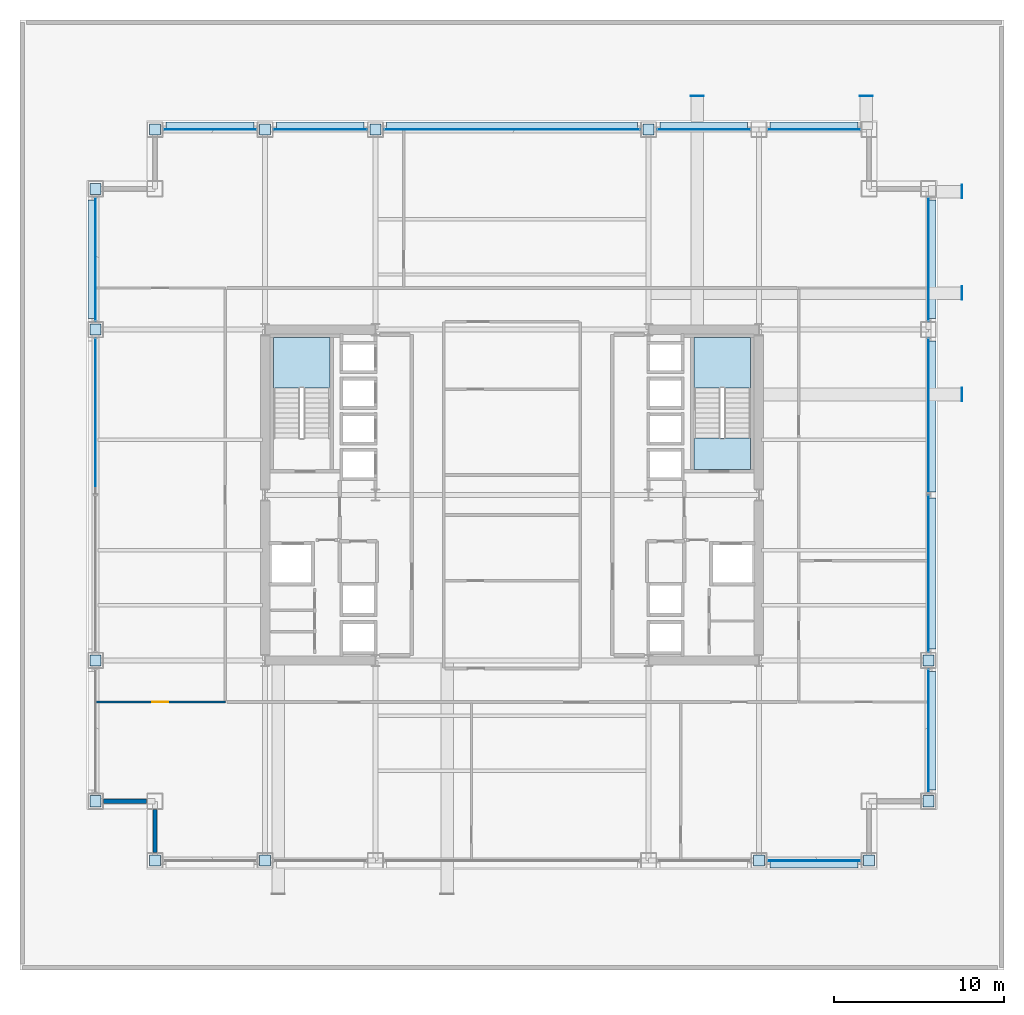
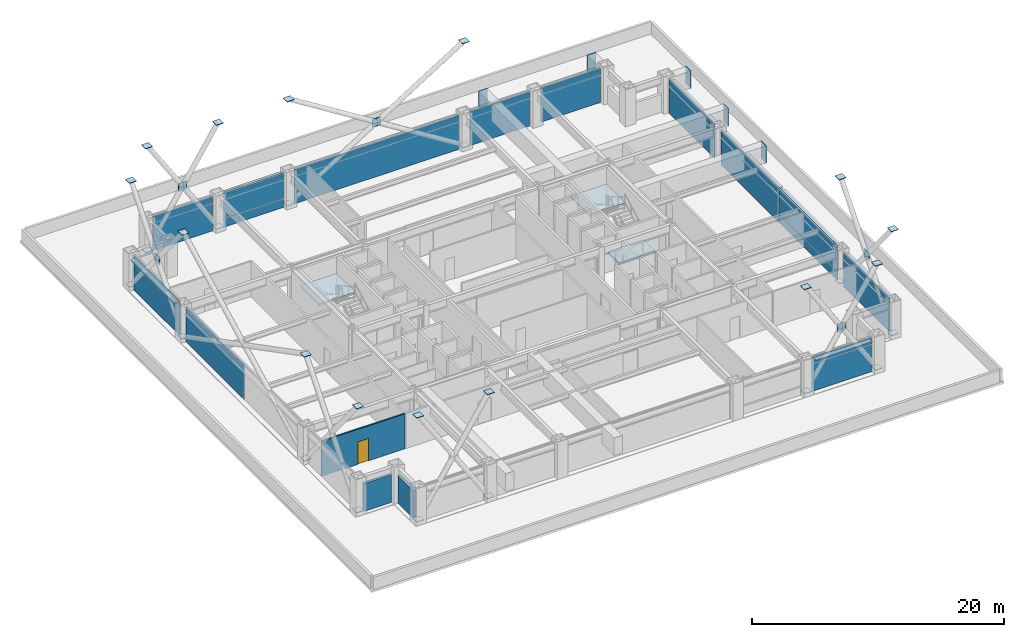
# One storey, part 28 of 33: 63 plates, 3 slabs, 3 walls, 1 door, 1 opening, 14 elements without a shape of their own.
"""IFC4 building model written with IfcOpenShell, lengths in metres."""

from ifc_helpers import new_model, si_unit, direction, frame, frame_2d, origin, origin_2d, place, context, subcontext, project, spatial, polyline, rectangle, outline, extrude, material, layer, layer_set, type_object, element, fill, aggregate, save


model = new_model("IFC4")

# Units and contexts
model_context = context("Model", 3, precision=1e-05, world=origin(), true_north=direction((0.0, 1.0)))
body_context = subcontext(model_context, "Body", "Model", "MODEL_VIEW")
ifc_project = project(units=[si_unit("LENGTHUNIT", "METRE"), si_unit("AREAUNIT", "SQUARE_METRE"), si_unit("VOLUMEUNIT", "CUBIC_METRE"), si_unit("PLANEANGLEUNIT", "RADIAN"), si_unit("MASSUNIT", "GRAM", prefix="KILO")], contexts=[model_context])

# Site, building, storey
site_placement = place(None, origin())
site = spatial("IfcSite", under=ifc_project, at=site_placement, CompositionType="ELEMENT")
building_placement = place(site_placement, origin())
building = spatial("IfcBuilding", under=site, at=building_placement, Name="Brelmoor Portico Tower", CompositionType="ELEMENT")
storey_placement = place(building_placement, frame((0.0, 0.0, 24.0)))
storey = spatial("IfcBuildingStorey", under=building, at=storey_placement, Name="L05", CompositionType="ELEMENT", Elevation=24.0)

# Plates
ifc_material_1 = material(Name="Steel Q355B", Category="steel")
ifc_layer_1 = layer(ifc_material_1, 0.044921875)
ifc_layer_set_1 = layer_set([ifc_layer_1], Name="Steel Q355B")
plate_type_1 = type_object("IfcPlateType", Name="PT-CAP-650", PredefinedType="SHEET", material=ifc_layer_set_1)
for number, where, z_axis, x_axis, name in (
    (1, (10.919921875, 23.52001953125, 1.72021484375), (0.0, 0.0, 1.0), (1.0, 0.0, 0.0), "L05 Picture-Frame Cantilever End Cap Plate PFB-03"),
    (2, (20.8798828125, 23.52001953125, 1.72021484375), (0.0, 0.0, 1.0), (1.0, 0.0, 0.0), "L05 Picture-Frame Cantilever End Cap Plate PFB-04"),
):
    element("IfcPlate", number, at=place(storey_placement, frame(where, z_axis=z_axis, x_axis=x_axis)), inside=storey, type_object=plate_type_1, Name=name, PredefinedType="SHEET", context=body_context, shape_type="SweptSolid", body=[
        extrude(rectangle(XDim=0.7900390625, YDim=0.0400390625, at=origin_2d()), origin(), (0.0, 0.0, 1.0), 1.699951171875),
    ])
for number, where, z_axis, x_axis, name in (
    (3, (26.52001953125, 5.919921875, 1.72021484375), (0.0, 0.0, 1.0), (1.0, 0.0, 0.0), "L05 Picture-Frame Cantilever End Cap Plate PFB-05"),
    (4, (26.52001953125, 17.8798828125, 1.72021484375), (0.0, 0.0, 1.0), (1.0, 0.0, 0.0), "L05 Picture-Frame Cantilever End Cap Plate PFB-06"),
    (5, (26.52001953125, 11.89990234375, 1.72021484375), (0.0, 0.0, 1.0), (1.0, 0.0, 0.0), "L05 Picture-Frame Cantilever End Cap Plate PFB-07"),
):
    element("IfcPlate", number, at=place(storey_placement, frame(where, z_axis=z_axis, x_axis=x_axis)), inside=storey, type_object=plate_type_1, Name=name, PredefinedType="SHEET", context=body_context, shape_type="SweptSolid", body=[
        extrude(rectangle(XDim=0.0400390625, YDim=0.7900390625, at=origin_2d()), origin(), (0.0, 0.0, 1.0), 1.699951171875),
    ])
for number, where, z_axis, x_axis, name in (
    (6, (-21.050048828125, -21.550048828125, 0.2275390625), (0.0, 0.0, 1.0), (1.0, 0.0, 0.0), "L05 Continuous Mega-X Brace 001A Joint Cap Plate 1"),
    (7, (-14.550048828125, -21.550048828125, 10.32763671875), (0.0, 0.0, 1.0), (1.0, 0.0, 0.0), "L05 Continuous Mega-X Brace 001A Joint Cap Plate 2"),
    (8, (-14.550048828125, -21.550048828125, 0.2275390625), (0.0, 0.0, 1.0), (1.0, 0.0, 0.0), "L05 Split Mega-X Brace 001B1 Joint Cap Plate 1"),
    (9, (-21.050048828125, -21.550048828125, 10.32763671875), (0.0, 0.0, 1.0), (1.0, 0.0, 0.0), "L05 Split Mega-X Brace 001B2 Joint Cap Plate 2"),
    (10, (14.550048828125, -21.550048828125, 0.2275390625), (0.0, 0.0, 1.0), (1.0, 0.0, 0.0), "L05 Continuous Mega-X Brace 002A Joint Cap Plate 1"),
    (11, (21.050048828125, -21.550048828125, 10.32763671875), (0.0, 0.0, 1.0), (1.0, 0.0, 0.0), "L05 Continuous Mega-X Brace 002A Joint Cap Plate 2"),
    (12, (21.050048828125, -21.550048828125, 0.2275390625), (0.0, 0.0, 1.0), (1.0, 0.0, 0.0), "L05 Split Mega-X Brace 002B1 Joint Cap Plate 1"),
    (13, (14.550048828125, -21.550048828125, 10.32763671875), (0.0, 0.0, 1.0), (1.0, 0.0, 0.0), "L05 Split Mega-X Brace 002B2 Joint Cap Plate 2"),
    (14, (-21.050048828125, 21.550048828125, 0.2275390625), (0.0, 0.0, 1.0), (1.0, 0.0, 0.0), "L05 Continuous Mega-X Brace 003A Joint Cap Plate 1"),
    (15, (-14.550048828125, 21.550048828125, 10.32763671875), (0.0, 0.0, 1.0), (1.0, 0.0, 0.0), "L05 Continuous Mega-X Brace 003A Joint Cap Plate 2"),
    (16, (-14.550048828125, 21.550048828125, 0.2275390625), (0.0, 0.0, 1.0), (1.0, 0.0, 0.0), "L05 Split Mega-X Brace 003B1 Joint Cap Plate 1"),
    (17, (-21.050048828125, 21.550048828125, 10.32763671875), (0.0, 0.0, 1.0), (1.0, 0.0, 0.0), "L05 Split Mega-X Brace 003B2 Joint Cap Plate 2"),
    (18, (-8.050048828125, 21.550048828125, 0.2275390625), (0.0, 0.0, 1.0), (1.0, 0.0, 0.0), "L05 Continuous Mega-X Brace 004A Joint Cap Plate 1"),
    (19, (8.050048828125, 21.550048828125, 10.32763671875), (0.0, 0.0, 1.0), (1.0, 0.0, 0.0), "L05 Continuous Mega-X Brace 004A Joint Cap Plate 2"),
    (20, (8.050048828125, 21.550048828125, 0.2275390625), (0.0, 0.0, 1.0), (1.0, 0.0, 0.0), "L05 Split Mega-X Brace 004B1 Joint Cap Plate 1"),
    (21, (-8.050048828125, 21.550048828125, 10.32763671875), (0.0, 0.0, 1.0), (1.0, 0.0, 0.0), "L05 Split Mega-X Brace 004B2 Joint Cap Plate 2"),
    (22, (-24.550048828125, -18.050048828125, 0.2275390625), (0.0, 0.0, 1.0), (1.0, 0.0, 0.0), "L05 Continuous Mega-X Brace 005A Joint Cap Plate 1"),
    (23, (-24.550048828125, -9.75, 10.32763671875), (0.0, 0.0, 1.0), (1.0, 0.0, 0.0), "L05 Continuous Mega-X Brace 005A Joint Cap Plate 2"),
    (24, (-24.550048828125, -9.75, 0.2275390625), (0.0, 0.0, 1.0), (1.0, 0.0, 0.0), "L05 Split Mega-X Brace 005B1 Joint Cap Plate 1"),
    (25, (-24.550048828125, -18.050048828125, 10.32763671875), (0.0, 0.0, 1.0), (1.0, 0.0, 0.0), "L05 Split Mega-X Brace 005B2 Joint Cap Plate 2"),
    (26, (-24.550048828125, 9.75, 10.32763671875), (0.0, 0.0, 1.0), (1.0, 0.0, 0.0), "L05 Continuous Mega-X Brace 006A Joint Cap Plate 2"),
    (27, (-24.550048828125, 9.75, 0.2275390625), (0.0, 0.0, 1.0), (1.0, 0.0, 0.0), "L05 Split Mega-X Brace 006B1 Joint Cap Plate 1"),
    (28, (-24.550048828125, 18.050048828125, 10.32763671875), (0.0, 0.0, 1.0), (1.0, 0.0, 0.0), "L05 Continuous Mega-X Brace 007A Joint Cap Plate 2"),
    (29, (-24.550048828125, 18.050048828125, 0.2275390625), (0.0, 0.0, 1.0), (1.0, 0.0, 0.0), "L05 Split Mega-X Brace 007B1 Joint Cap Plate 1"),
    (30, (24.550048828125, -18.050048828125, 0.2275390625), (0.0, 0.0, 1.0), (1.0, 0.0, 0.0), "L05 Continuous Mega-X Brace 008A Joint Cap Plate 1"),
    (31, (24.550048828125, -9.75, 10.32763671875), (0.0, 0.0, 1.0), (1.0, 0.0, 0.0), "L05 Continuous Mega-X Brace 008A Joint Cap Plate 2"),
    (32, (24.550048828125, -9.75, 0.2275390625), (0.0, 0.0, 1.0), (1.0, 0.0, 0.0), "L05 Split Mega-X Brace 008B1 Joint Cap Plate 1"),
    (33, (24.550048828125, -18.050048828125, 10.32763671875), (0.0, 0.0, 1.0), (1.0, 0.0, 0.0), "L05 Split Mega-X Brace 008B2 Joint Cap Plate 2"),
):
    element("IfcPlate", number, at=place(storey_placement, frame(where, z_axis=z_axis, x_axis=x_axis)), inside=storey, type_object=plate_type_1, Name=name, PredefinedType="SHEET", context=body_context, shape_type="SweptSolid", body=[
        extrude(rectangle(XDim=0.64990234375, YDim=0.64990234375, at=origin_2d()), origin(), (0.0, 0.0, 1.0), 0.044921875),
    ])

# Curtain wall, plate
ifc_material_2 = material(Name="Anodised Aluminium Alloy 6063-T6", Category="aluminium")
ifc_layer_2 = layer(ifc_material_2, 0.179931640625)
ifc_layer_set_2 = layer_set([ifc_layer_2], Name="Anodised Aluminium Alloy 6063-T6")
curtain_wall_type_1 = type_object("IfcCurtainWallType", Name="CW-TOWER-Z1", PredefinedType="NOTDEFINED", material=ifc_layer_set_2)
curtain_wall_1_placement = place(storey_placement, origin())
curtain_wall_1 = element("IfcCurtainWall", 34, at=curtain_wall_1_placement, inside=storey, type_object=curtain_wall_type_1, Name="L05 Curtain Wall CW-L05-02-2", PredefinedType="NOTDEFINED")
ifc_material_3 = material(Name="Double-Silver Low-E Insulated Glazing", Category="glass")
ifc_layer_3 = layer(ifc_material_3, 0.035888671875)
ifc_layer_set_3 = layer_set([ifc_layer_3], Name="Double-Silver Low-E Insulated Glazing")
plate_type_2 = type_object("IfcPlateType", Name="PT-CW-GLASS", PredefinedType="CURTAIN_PANEL", material=ifc_layer_set_3)
plate_1_placement = place(storey_placement, frame((-11.300048828125, 21.550048828125, 0.85009765625), z_axis=(0.0, 0.0, 1.0), x_axis=(1.0, 0.0, 0.0)))
plate_1 = element("IfcPlate", 35, at=plate_1_placement, type_object=plate_type_2, Name="CW-L05-02-2 Vision Glass Panel 00", PredefinedType="CURTAIN_PANEL", context=body_context, shape_type="SweptSolid", body=[
    extrude(rectangle(XDim=5.5, YDim=0.035888671875, at=origin_2d()), origin(), (0.0, 0.0, 1.0), 2.550048828125),
])

curtain_wall_2_placement = place(storey_placement, origin())
curtain_wall_2 = element("IfcCurtainWall", 36, at=curtain_wall_2_placement, inside=storey, type_object=curtain_wall_type_1, Name="L05 Curtain Wall CW-L05-04-2a", PredefinedType="NOTDEFINED")
plate_2_placement = place(storey_placement, frame((24.550048828125, -4.632568359375, 0.85009765625), z_axis=(0.0, 0.0, 1.0), x_axis=(0.0, 1.0, 0.0)))
plate_2 = element("IfcPlate", 37, at=plate_2_placement, type_object=plate_type_2, Name="CW-L05-04-2a Vision Glass Panel 00", PredefinedType="CURTAIN_PANEL", context=body_context, shape_type="SweptSolid", body=[
    extrude(rectangle(XDim=9.235107421875, YDim=0.035888671875, at=origin_2d()), origin(), (0.0, 0.0, 1.0), 2.550048828125),
])

ifc_layer_4 = layer(ifc_material_2, 0.179931640625)
ifc_layer_set_4 = layer_set([ifc_layer_4], Name="Anodised Aluminium Alloy 6063-T6")
curtain_wall_type_2 = type_object("IfcCurtainWallType", Name="CW-TOWER-Z1-XB", PredefinedType="NOTDEFINED", material=ifc_layer_set_4)
curtain_wall_3_placement = place(storey_placement, origin())
curtain_wall_3 = element("IfcCurtainWall", 38, at=curtain_wall_3_placement, inside=storey, type_object=curtain_wall_type_2, Name="L05 Curtain Wall CW-L05-01-5", PredefinedType="NOTDEFINED")
ifc_material_4 = material(Name="Pale Champagne Anodised Aluminium Panel", Category="aluminium")
ifc_layer_5 = layer(ifc_material_4, 0.050048828125)
ifc_layer_set_5 = layer_set([ifc_layer_5], Name="Pale Champagne Anodised Aluminium Panel")
plate_type_3 = type_object("IfcPlateType", Name="PT-CW-SPANDREL", PredefinedType="SHEET", material=ifc_layer_set_5)
plate_3_placement = place(storey_placement, frame((17.800048828125, -21.550048828125, 0.0), z_axis=(0.0, 0.0, 1.0), x_axis=(1.0, 0.0, 0.0)))
plate_3 = element("IfcPlate", 39, at=plate_3_placement, type_object=plate_type_3, Name="CW-L05-01-5 Spandrel Panel 00", PredefinedType="SHEET", context=body_context, shape_type="SweptSolid", body=[
    extrude(rectangle(XDim=5.5, YDim=0.050048828125, at=origin_2d()), origin(), (0.0, 0.0, 1.0), 3.330078125),
])
aggregate(curtain_wall_3, [plate_3])

curtain_wall_4_placement = place(storey_placement, origin())
curtain_wall_4 = element("IfcCurtainWall", 40, at=curtain_wall_4_placement, inside=storey, type_object=curtain_wall_type_2, Name="L05 Curtain Wall CW-L05-02-1", PredefinedType="NOTDEFINED")
plate_4_placement = place(storey_placement, frame((-17.800048828125, 21.550048828125, 0.0), z_axis=(0.0, 0.0, 1.0), x_axis=(1.0, 0.0, 0.0)))
plate_4 = element("IfcPlate", 41, at=plate_4_placement, type_object=plate_type_3, Name="CW-L05-02-1 Spandrel Panel 00", PredefinedType="SHEET", context=body_context, shape_type="SweptSolid", body=[
    extrude(rectangle(XDim=5.5, YDim=0.050048828125, at=origin_2d()), origin(), (0.0, 0.0, 1.0), 3.330078125),
])
aggregate(curtain_wall_4, [plate_4])

# Plate
plate_5_placement = place(storey_placement, frame((-11.300048828125, 21.550048828125, 0.0), z_axis=(0.0, 0.0, 1.0), x_axis=(1.0, 0.0, 0.0)))
plate_5 = element("IfcPlate", 42, at=plate_5_placement, type_object=plate_type_3, Name="CW-L05-02-2 Spandrel Panel 00", PredefinedType="SHEET", context=body_context, shape_type="SweptSolid", body=[
    extrude(rectangle(XDim=5.5, YDim=0.050048828125, at=origin_2d()), origin(), (0.0, 0.0, 1.0), 0.85009765625),
])

aggregate(curtain_wall_1, [plate_5, plate_1])

# Curtain wall, plate
curtain_wall_5_placement = place(storey_placement, origin())
curtain_wall_5 = element("IfcCurtainWall", 43, at=curtain_wall_5_placement, inside=storey, type_object=curtain_wall_type_2, Name="L05 Curtain Wall CW-L05-02-3", PredefinedType="NOTDEFINED")
plate_6_placement = place(storey_placement, frame((0.0, 21.550048828125, 0.0), z_axis=(0.0, 0.0, 1.0), x_axis=(1.0, 0.0, 0.0)))
plate_6 = element("IfcPlate", 44, at=plate_6_placement, type_object=plate_type_3, Name="CW-L05-02-3 Spandrel Panel 00", PredefinedType="SHEET", context=body_context, shape_type="SweptSolid", body=[
    extrude(rectangle(XDim=15.10009765625, YDim=0.050048828125, at=origin_2d()), origin(), (0.0, 0.0, 1.0), 3.330078125),
])
aggregate(curtain_wall_5, [plate_6])

curtain_wall_6_placement = place(storey_placement, origin())
curtain_wall_6 = element("IfcCurtainWall", 45, at=curtain_wall_6_placement, inside=storey, type_object=curtain_wall_type_2, Name="L05 Curtain Wall CW-L05-02-4", PredefinedType="NOTDEFINED")
plate_7_placement = place(storey_placement, frame((11.300048828125, 21.550048828125, 0.0), z_axis=(0.0, 0.0, 1.0), x_axis=(1.0, 0.0, 0.0)))
plate_7 = element("IfcPlate", 46, at=plate_7_placement, type_object=plate_type_3, Name="CW-L05-02-4 Spandrel Panel 00", PredefinedType="SHEET", context=body_context, shape_type="SweptSolid", body=[
    extrude(rectangle(XDim=5.5, YDim=0.050048828125, at=origin_2d()), origin(), (0.0, 0.0, 1.0), 3.330078125),
])
aggregate(curtain_wall_6, [plate_7])

curtain_wall_7_placement = place(storey_placement, origin())
curtain_wall_7 = element("IfcCurtainWall", 47, at=curtain_wall_7_placement, inside=storey, type_object=curtain_wall_type_2, Name="L05 Curtain Wall CW-L05-02-5", PredefinedType="NOTDEFINED")
plate_8_placement = place(storey_placement, frame((17.800048828125, 21.550048828125, 0.0), z_axis=(0.0, 0.0, 1.0), x_axis=(1.0, 0.0, 0.0)))
plate_8 = element("IfcPlate", 48, at=plate_8_placement, type_object=plate_type_3, Name="CW-L05-02-5 Spandrel Panel 00", PredefinedType="SHEET", context=body_context, shape_type="SweptSolid", body=[
    extrude(rectangle(XDim=5.5, YDim=0.050048828125, at=origin_2d()), origin(), (0.0, 0.0, 1.0), 3.330078125),
])
aggregate(curtain_wall_7, [plate_8])

curtain_wall_8_placement = place(storey_placement, origin())
curtain_wall_8 = element("IfcCurtainWall", 49, at=curtain_wall_8_placement, inside=storey, type_object=curtain_wall_type_2, Name="L05 Curtain Wall CW-L05-03-2", PredefinedType="NOTDEFINED")
plate_9_placement = place(storey_placement, frame((-24.550048828125, 4.632568359375, 0.0), z_axis=(0.0, 0.0, 1.0), x_axis=(0.0, 1.0, 0.0)))
plate_9 = element("IfcPlate", 50, at=plate_9_placement, type_object=plate_type_3, Name="CW-L05-03-2 Spandrel Panel 01", PredefinedType="SHEET", context=body_context, shape_type="SweptSolid", body=[
    extrude(rectangle(XDim=9.235107421875, YDim=0.050048828125, at=origin_2d()), origin(), (0.0, 0.0, 1.0), 3.330078125),
])
aggregate(curtain_wall_8, [plate_9])

curtain_wall_9_placement = place(storey_placement, origin())
curtain_wall_9 = element("IfcCurtainWall", 51, at=curtain_wall_9_placement, inside=storey, type_object=curtain_wall_type_2, Name="L05 Curtain Wall CW-L05-03-3", PredefinedType="NOTDEFINED")
plate_10_placement = place(storey_placement, frame((-24.550048828125, 13.89990234375, 0.0), z_axis=(0.0, 0.0, 1.0), x_axis=(0.0, 1.0, 0.0)))
plate_10 = element("IfcPlate", 52, at=plate_10_placement, type_object=plate_type_3, Name="CW-L05-03-3 Spandrel Panel 00", PredefinedType="SHEET", context=body_context, shape_type="SweptSolid", body=[
    extrude(rectangle(XDim=7.300048828125, YDim=0.050048828125, at=origin_2d()), origin(), (0.0, 0.0, 1.0), 3.330078125),
])
aggregate(curtain_wall_9, [plate_10])

curtain_wall_10_placement = place(storey_placement, origin())
curtain_wall_10 = element("IfcCurtainWall", 53, at=curtain_wall_10_placement, inside=storey, type_object=curtain_wall_type_2, Name="L05 Curtain Wall CW-L05-04-1", PredefinedType="NOTDEFINED")
plate_11_placement = place(storey_placement, frame((24.550048828125, -13.89990234375, 0.0), z_axis=(0.0, 0.0, 1.0), x_axis=(0.0, 1.0, 0.0)))
plate_11 = element("IfcPlate", 54, at=plate_11_placement, type_object=plate_type_3, Name="CW-L05-04-1 Spandrel Panel 00", PredefinedType="SHEET", context=body_context, shape_type="SweptSolid", body=[
    extrude(rectangle(XDim=7.300048828125, YDim=0.050048828125, at=origin_2d()), origin(), (0.0, 0.0, 1.0), 3.330078125),
])
aggregate(curtain_wall_10, [plate_11])

# Plate
plate_12_placement = place(storey_placement, frame((24.550048828125, -4.632568359375, 0.0), z_axis=(0.0, 0.0, 1.0), x_axis=(0.0, 1.0, 0.0)))
plate_12 = element("IfcPlate", 55, at=plate_12_placement, type_object=plate_type_3, Name="CW-L05-04-2a Spandrel Panel 00", PredefinedType="SHEET", context=body_context, shape_type="SweptSolid", body=[
    extrude(rectangle(XDim=9.235107421875, YDim=0.050048828125, at=origin_2d()), origin(), (0.0, 0.0, 1.0), 0.85009765625),
])

aggregate(curtain_wall_2, [plate_12, plate_2])

# Curtain wall, plate
curtain_wall_11_placement = place(storey_placement, origin())
curtain_wall_11 = element("IfcCurtainWall", 56, at=curtain_wall_11_placement, inside=storey, type_object=curtain_wall_type_2, Name="L05 Curtain Wall CW-L05-04-2b", PredefinedType="NOTDEFINED")
plate_13_placement = place(storey_placement, frame((24.550048828125, 4.632568359375, 0.0), z_axis=(0.0, 0.0, 1.0), x_axis=(0.0, 1.0, 0.0)))
plate_13 = element("IfcPlate", 57, at=plate_13_placement, type_object=plate_type_3, Name="CW-L05-04-2b Spandrel Panel 00", PredefinedType="SHEET", context=body_context, shape_type="SweptSolid", body=[
    extrude(rectangle(XDim=9.235107421875, YDim=0.050048828125, at=origin_2d()), origin(), (0.0, 0.0, 1.0), 3.330078125),
])
aggregate(curtain_wall_11, [plate_13])

curtain_wall_12_placement = place(storey_placement, origin())
curtain_wall_12 = element("IfcCurtainWall", 58, at=curtain_wall_12_placement, inside=storey, type_object=curtain_wall_type_2, Name="L05 Curtain Wall CW-L05-04-3", PredefinedType="NOTDEFINED")
plate_14_placement = place(storey_placement, frame((24.550048828125, 13.89990234375, 0.0), z_axis=(0.0, 0.0, 1.0), x_axis=(0.0, 1.0, 0.0)))
plate_14 = element("IfcPlate", 59, at=plate_14_placement, type_object=plate_type_3, Name="CW-L05-04-3 Spandrel Panel 00", PredefinedType="SHEET", context=body_context, shape_type="SweptSolid", body=[
    extrude(rectangle(XDim=7.300048828125, YDim=0.050048828125, at=origin_2d()), origin(), (0.0, 0.0, 1.0), 3.330078125),
])
aggregate(curtain_wall_12, [plate_14])

# Plates
ifc_layer_6 = layer(ifc_material_1, 0.050048828125)
ifc_layer_set_6 = layer_set([ifc_layer_6], Name="Steel Q355B")
plate_type_4 = type_object("IfcPlateType", Name="PT-GUSSET-800", PredefinedType="USERDEFINED", material=ifc_layer_set_6)
for number, where, z_axis, x_axis, name in (
    (60, (17.800048828125, -21.550048828125, 4.89990234375), (0.0, 0.0, 1.0), (1.0, 0.0, 0.0), "L05 Perimeter Mega-Brace Gusset 002"),
    (61, (-17.800048828125, 21.550048828125, 4.89990234375), (0.0, 0.0, 1.0), (1.0, 0.0, 0.0), "L05 Perimeter Mega-Brace Gusset 003"),
    (62, (0.0, 21.550048828125, 4.89990234375), (0.0, 0.0, 1.0), (1.0, 0.0, 0.0), "L05 Perimeter Mega-Brace Gusset 004"),
):
    element("IfcPlate", number, at=place(storey_placement, frame(where, z_axis=z_axis, x_axis=x_axis)), inside=storey, type_object=plate_type_4, Name=name, ObjectType="GUSSET PLATE", PredefinedType="USERDEFINED", context=body_context, shape_type="SweptSolid", body=[
        extrude(rectangle(XDim=0.800048828125, YDim=0.050048828125, at=origin_2d()), origin(), (0.0, 0.0, 1.0), 0.800048828125),
    ])
for number, where, z_axis, x_axis, name in (
    (63, (-24.550048828125, 13.89990234375, 4.89990234375), (0.0, 0.0, 1.0), (1.0, 0.0, 0.0), "L05 Perimeter Mega-Brace Gusset 007"),
    (64, (24.550048828125, -13.89990234375, 4.89990234375), (0.0, 0.0, 1.0), (1.0, 0.0, 0.0), "L05 Perimeter Mega-Brace Gusset 008"),
):
    element("IfcPlate", number, at=place(storey_placement, frame(where, z_axis=z_axis, x_axis=x_axis)), inside=storey, type_object=plate_type_4, Name=name, ObjectType="GUSSET PLATE", PredefinedType="USERDEFINED", context=body_context, shape_type="SweptSolid", body=[
        extrude(rectangle(XDim=0.050048828125, YDim=0.800048828125, at=origin_2d()), origin(), (0.0, 0.0, 1.0), 0.800048828125),
    ])
ifc_material_5 = material(Name="Pale Champagne Perforated Aluminium Solar Screen", Category="aluminium")
ifc_layer_7 = layer(ifc_material_5, 0.054931640625)
ifc_layer_set_7 = layer_set([ifc_layer_7], Name="Pale Champagne Perforated Aluminium Solar Screen")
plate_type_5 = type_object("IfcPlateType", Name="PT-SOLAR-LOUVRE", PredefinedType="SHEET", material=ifc_layer_set_7)
for number, where, z_axis, x_axis, name in (
    (65, (17.800048828125, -21.760009765625, 3.08984375), (0.0, 0.0, 1.0), (1.0, 0.0, 0.0), "CW-L05-01-5 Caribbean Brise-Soleil Solar Screen"),
    (66, (-17.800048828125, 21.760009765625, 3.08984375), (0.0, 0.0, 1.0), (1.0, 0.0, 0.0), "CW-L05-02-1 Caribbean Brise-Soleil Solar Screen"),
    (67, (-11.300048828125, 21.760009765625, 3.08984375), (0.0, 0.0, 1.0), (1.0, 0.0, 0.0), "CW-L05-02-2 Caribbean Brise-Soleil Solar Screen"),
):
    element("IfcPlate", number, at=place(storey_placement, frame(where, z_axis=z_axis, x_axis=x_axis)), inside=storey, type_object=plate_type_5, Name=name, PredefinedType="SHEET", context=body_context, shape_type="SweptSolid", body=[
        extrude(rectangle(XDim=5.169921875, YDim=0.4599609375, at=origin_2d()), origin(), (0.0, 0.0, 1.0), 0.139892578125),
    ])
plate_15_placement = place(storey_placement, frame((0.0, 21.760009765625, 3.08984375), z_axis=(0.0, 0.0, 1.0), x_axis=(1.0, 0.0, 0.0)))
element("IfcPlate", 68, at=plate_15_placement, inside=storey, type_object=plate_type_5, Name="CW-L05-02-3 Caribbean Brise-Soleil Solar Screen", PredefinedType="SHEET", context=body_context, shape_type="SweptSolid", body=[
    extrude(rectangle(XDim=14.77001953125, YDim=0.4599609375, at=origin_2d()), origin(), (0.0, 0.0, 1.0), 0.139892578125),
])
for number, where, z_axis, x_axis, name in (
    (69, (11.300048828125, 21.760009765625, 3.08984375), (0.0, 0.0, 1.0), (1.0, 0.0, 0.0), "CW-L05-02-4 Caribbean Brise-Soleil Solar Screen"),
    (70, (17.800048828125, 21.760009765625, 3.08984375), (0.0, 0.0, 1.0), (1.0, 0.0, 0.0), "CW-L05-02-5 Caribbean Brise-Soleil Solar Screen"),
):
    element("IfcPlate", number, at=place(storey_placement, frame(where, z_axis=z_axis, x_axis=x_axis)), inside=storey, type_object=plate_type_5, Name=name, PredefinedType="SHEET", context=body_context, shape_type="SweptSolid", body=[
        extrude(rectangle(XDim=5.169921875, YDim=0.4599609375, at=origin_2d()), origin(), (0.0, 0.0, 1.0), 0.139892578125),
    ])
for number, where, z_axis, x_axis, name in (
    (71, (-24.760009765625, 13.89990234375, 3.08984375), (0.0, 0.0, 1.0), (0.0, 1.0, 0.0), "CW-L05-03-3 Caribbean Brise-Soleil Solar Screen"),
    (72, (24.760009765625, -13.89990234375, 3.08984375), (0.0, 0.0, 1.0), (0.0, 1.0, 0.0), "CW-L05-04-1 Caribbean Brise-Soleil Solar Screen"),
):
    element("IfcPlate", number, at=place(storey_placement, frame(where, z_axis=z_axis, x_axis=x_axis)), inside=storey, type_object=plate_type_5, Name=name, PredefinedType="SHEET", context=body_context, shape_type="SweptSolid", body=[
        extrude(rectangle(XDim=6.969970703125, YDim=0.4599609375, at=origin_2d()), origin(), (0.0, 0.0, 1.0), 0.139892578125),
    ])
for number, where, z_axis, x_axis, name in (
    (73, (24.760009765625, -4.632568359375, 3.08984375), (0.0, 0.0, 1.0), (0.0, 1.0, 0.0), "CW-L05-04-2a Caribbean Brise-Soleil Solar Screen"),
    (74, (24.760009765625, 4.632568359375, 3.08984375), (0.0, 0.0, 1.0), (0.0, 1.0, 0.0), "CW-L05-04-2b Caribbean Brise-Soleil Solar Screen"),
):
    element("IfcPlate", number, at=place(storey_placement, frame(where, z_axis=z_axis, x_axis=x_axis)), inside=storey, type_object=plate_type_5, Name=name, PredefinedType="SHEET", context=body_context, shape_type="SweptSolid", body=[
        extrude(rectangle(XDim=8.905029296875, YDim=0.4599609375, at=origin_2d()), origin(), (0.0, 0.0, 1.0), 0.139892578125),
    ])
plate_16_placement = place(storey_placement, frame((24.760009765625, 13.89990234375, 3.08984375), z_axis=(0.0, 0.0, 1.0), x_axis=(0.0, 1.0, 0.0)))
element("IfcPlate", 75, at=plate_16_placement, inside=storey, type_object=plate_type_5, Name="CW-L05-04-3 Caribbean Brise-Soleil Solar Screen", PredefinedType="SHEET", context=body_context, shape_type="SweptSolid", body=[
    extrude(rectangle(XDim=6.969970703125, YDim=0.4599609375, at=origin_2d()), origin(), (0.0, 0.0, 1.0), 0.139892578125),
])

# Stair, slab
ifc_material_6 = material(Name="Concrete C40", Category="concrete")
stair_type_1 = type_object("IfcStairType", Name="ST-CORE-W", PredefinedType="HALF_TURN_STAIR", material=ifc_material_6)
stair_1_placement = place(storey_placement, origin())
stair_1 = element("IfcStair", 76, at=stair_1_placement, inside=storey, type_object=stair_type_1, Name="L05 Protected Core Exit Stair ST-W", PredefinedType="HALF_TURN_STAIR")
ifc_layer_8 = layer(ifc_material_6, 0.179931640625)
ifc_layer_set_8 = layer_set([ifc_layer_8], Name="Concrete C40")
slab_type_1 = type_object("IfcSlabType", Name="SL-LANDING-180", PredefinedType="LANDING", material=ifc_layer_set_8)
slab_1_placement = place(storey_placement, frame((0.0, 0.0, 1.60009765625)))
slab_1 = element("IfcSlab", 77, at=slab_1_placement, type_object=slab_type_1, Name="ST-W landing 1", PredefinedType="LANDING", context=body_context, shape_type="SweptSolid", body=[
    extrude(outline(polyline([(-10.72998046875, 6.300048828125), (-10.72998046875, 9.300048828125), (-14.050048828125, 9.300048828125), (-14.050048828125, 6.300048828125), (-10.72998046875, 6.300048828125)])), origin(), (0.0, 0.0, 1.0), 0.199951171875),
])
aggregate(stair_1, [slab_1])

stair_type_2 = type_object("IfcStairType", Name="ST-CORE-E", PredefinedType="HALF_TURN_STAIR", material=ifc_material_6)
stair_2_placement = place(storey_placement, origin())
stair_2 = element("IfcStair", 78, at=stair_2_placement, inside=storey, type_object=stair_type_2, Name="L05 Protected Core Exit Stair ST-E", PredefinedType="HALF_TURN_STAIR")
slab_2_placement = place(storey_placement, frame((0.0, 0.0, 1.60009765625)))
slab_2 = element("IfcSlab", 79, at=slab_2_placement, type_object=slab_type_1, Name="ST-E landing 1", PredefinedType="LANDING", context=body_context, shape_type="SweptSolid", body=[
    extrude(outline(polyline([(14.050048828125, 6.300048828125), (14.050048828125, 9.300048828125), (10.72998046875, 9.300048828125), (10.72998046875, 6.300048828125), (14.050048828125, 6.300048828125)])), origin(), (0.0, 0.0, 1.0), 0.199951171875),
])
aggregate(stair_2, [slab_2])

# Slab
ifc_layer_9 = layer(ifc_material_6, 0.199951171875)
ifc_layer_set_9 = layer_set([ifc_layer_9], Name="Concrete C40")
slab_type_2 = type_object("IfcSlabType", Name="SL-STAIR-FL200", PredefinedType="LANDING", material=ifc_layer_set_9)
slab_3_placement = place(storey_placement, frame((0.0, 0.0, -0.199951171875)))
element("IfcSlab", 80, at=slab_3_placement, inside=storey, type_object=slab_type_2, Name="L05 ST-E Structural Floor Landing Slab", PredefinedType="LANDING", context=body_context, shape_type="SweptSolid", body=[
    extrude(outline(polyline([(14.050048828125, 1.5), (14.050048828125, 3.35009765625), (10.72998046875, 3.35009765625), (10.72998046875, 1.5), (14.050048828125, 1.5)])), origin(), (0.0, 0.0, 1.0), 0.199951171875),
])

# Walls
ifc_material_7 = material(Name="Precast Concrete C40 Insulated Facade Wall", Category="concrete")
ifc_layer_10 = layer(ifc_material_7, 0.25)
ifc_layer_set_10 = layer_set([ifc_layer_10], Name="Precast Concrete C40 Insulated Facade Wall")
wall_type_1 = type_object("IfcWallType", Name="WL-EXT-250", PredefinedType="STANDARD", material=ifc_layer_set_10)
for number, where, z_axis, x_axis, name in (
    (81, (-24.06494140625, -18.050048828125, 0.0), (0.0, 0.0, 1.0), (1.0, 0.0, 0.0), "L05 Corner Notch Facade Wall NSWH1"),
    (82, (-21.050048828125, -21.06494140625, 0.0), (0.0, 0.0, 1.0), (0.0, 1.0, 0.0), "L05 Corner Notch Facade Wall NSWV1"),
):
    element("IfcWall", number, at=place(storey_placement, frame(where, z_axis=z_axis, x_axis=x_axis)), inside=storey, type_object=wall_type_1, Name=name, PredefinedType="STANDARD", context=body_context, shape_type="SweptSolid", body=[
        extrude(rectangle(XDim=2.530029296875, YDim=0.25, at=frame_2d((1.26513671875, 0.0))), origin(), (0.0, 0.0, 1.0), 2.699951171875),
    ])

# Wall, opening, door
ifc_material_8 = material(Name="Insulated Stud Suite Partition", Category="gypsum")
ifc_layer_11 = layer(ifc_material_8, 0.139892578125)
ifc_layer_set_11 = layer_set([ifc_layer_11], Name="Insulated Stud Suite Partition")
wall_type_2 = type_object("IfcWallType", Name="WL-PART-140", PredefinedType="PARTITIONING", material=ifc_layer_set_11)
wall_placement = place(storey_placement, frame((-24.56005859375, -12.199951171875, 0.0), z_axis=(0.0, 0.0, 1.0), x_axis=(1.0, 0.0, 0.0)))
wall = element("IfcWall", 83, at=wall_placement, inside=storey, type_object=wall_type_2, Name="L05 South Outer Closure WL", PredefinedType="PARTITIONING", context=body_context, shape_type="SweptSolid", body=[
    extrude(rectangle(XDim=7.66015625, YDim=0.139892578125, at=frame_2d((3.830078125, 0.0))), origin(), (0.0, 0.0, 1.0), 3.39990234375),
])
opening_placement = place(wall_placement, frame((3.35009765625, 0.0, 0.0)))
opening = element("IfcOpeningElement", 84, at=opening_placement, cuts=wall, Name="Opening D-IN2", PredefinedType="OPENING", context=body_context, shape_type="SweptSolid", body=[
    extrude(rectangle(XDim=0.9599609375, YDim=2.179931640625, at=frame_2d((0.47998046875, 1.08984375))), frame((0.0, 0.079833984375, 0.0), z_axis=(0.0, -1.0, 0.0), x_axis=(1.0, 0.0, 0.0)), (0.0, 0.0, 1.0), 0.159912109375),
])
ifc_material_9 = material(Name="Lacquered Timber Suite Door", Category="wood")
door_type = type_object("IfcDoorType", Name="DR-INT-950", OperationType="NOTDEFINED", PredefinedType="DOOR", material=ifc_material_9)
door_placement = place(opening_placement, origin())
door = element("IfcDoor", 85, at=door_placement, inside=storey, type_object=door_type, Name="D-0255 L05 WL South Corner Suite Door", OperationType="SINGLE_SWING_LEFT", OverallHeight=2.179931640625, OverallWidth=0.9599609375, PredefinedType="DOOR", context=body_context, shape_type="SweptSolid", body=[
    extrude(rectangle(XDim=0.9599609375, YDim=2.179931640625, at=frame_2d((0.47998046875, 1.08984375))), frame((0.0, 0.02490234375, 0.0), z_axis=(0.0, -1.0, 0.0), x_axis=(1.0, 0.0, 0.0)), (0.0, 0.0, 1.0), 0.050048828125),
])
fill(opening, door)

save(model, "model.ifc")
